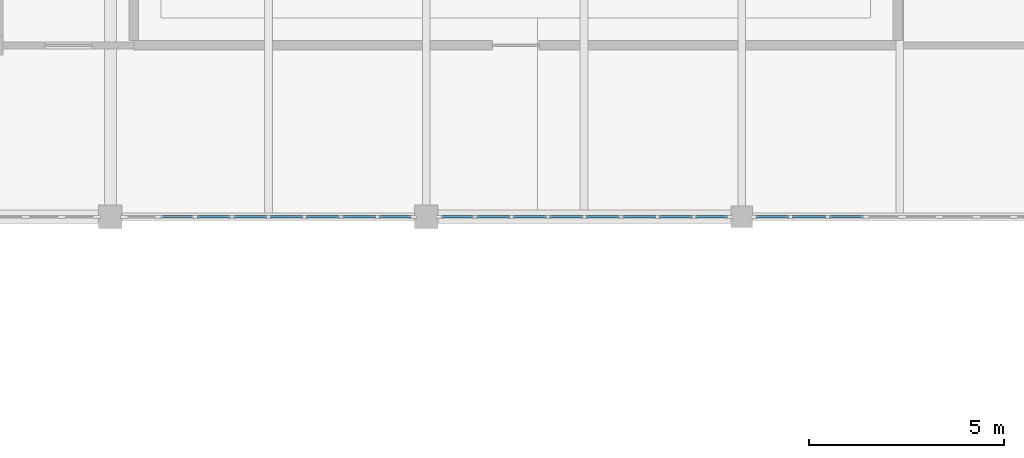
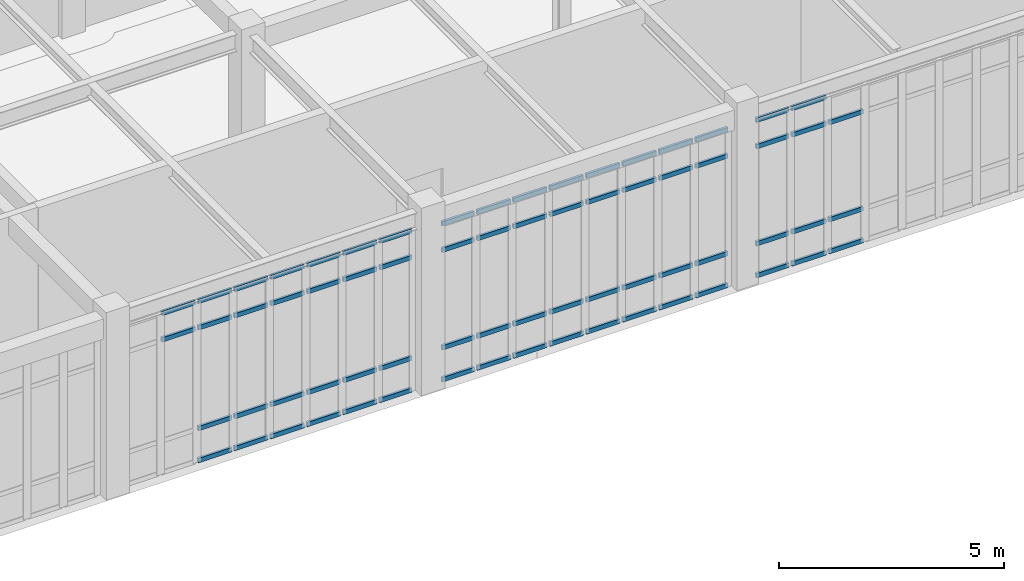
# One storey, part 37 of 70: 69 members, 3 elements without a shape of their own.
"""IFC4 building model written with IfcOpenShell, lengths in metres."""

from ifc_helpers import new_model, si_unit, direction, frame, origin, origin_2d, place, context, subcontext, project, spatial, rectangle, extrude, material, material_profile, profile_set, type_object, element, aggregate, save


model = new_model("IFC4")

# Units and contexts
model_context = context("Model", 3, precision=1e-05, world=origin(), true_north=direction((0.0, 1.0)))
body_context = subcontext(model_context, "Body", "Model", "MODEL_VIEW")
ifc_project = project(units=[si_unit("LENGTHUNIT", "METRE"), si_unit("AREAUNIT", "SQUARE_METRE"), si_unit("VOLUMEUNIT", "CUBIC_METRE"), si_unit("PLANEANGLEUNIT", "RADIAN"), si_unit("MASSUNIT", "GRAM", prefix="KILO")], contexts=[model_context])

# Site, building, storey
site_placement = place(None, origin())
site = spatial("IfcSite", under=ifc_project, at=site_placement, CompositionType="ELEMENT")
building_placement = place(site_placement, origin())
building = spatial("IfcBuilding", under=site, at=building_placement, Name="Tarnveldt Square Police Headquarters", CompositionType="ELEMENT")
storey_placement = place(building_placement, frame((0.0, 0.0, 19.800048828125)))
storey = spatial("IfcBuildingStorey", under=building, at=storey_placement, Name="L04", CompositionType="ELEMENT", Elevation=19.800048828125)

# Curtain wall, members
ifc_material_1 = material(Name="Triple-glazed low-e laminated vision glass", Category="glass")
curtain_wall_type_1 = type_object("IfcCurtainWallType", Name="CW-LB-747x439", PredefinedType="USERDEFINED", material=ifc_material_1)
curtain_wall_1_placement = place(storey_placement, origin())
curtain_wall_1 = element("IfcCurtainWall", 1, at=curtain_wall_1_placement, inside=storey, type_object=curtain_wall_type_1, Name="L04 Curtain Wall CW-L04-128", ObjectType="GLAZED CURTAIN WALL", PredefinedType="USERDEFINED")
ifc_material_2 = material(Name="Thermally broken anodised aluminium 6063-T6", Category="aluminium")
ifc_material_profile = material_profile(ifc_material_2, rectangle(XDim=0.06494140625, YDim=0.1201171875, at=origin_2d()), Name="CW-T65x120")
ifc_profile_set = profile_set([ifc_material_profile], Name="Thermally broken anodised aluminium 6063-T6")
member_type = type_object("IfcMemberType", Name="CWT-65x120", PredefinedType="USERDEFINED", material=ifc_profile_set)
member_1_placement = place(storey_placement, frame((66.086181640625, 96.0, 3.638916015625), z_axis=(1.0, 0.0, 0.0), x_axis=(0.0, 1.0, 0.0)))
member_1 = element("IfcMember", 2, at=member_1_placement, type_object=member_type, Name="CW-LB77 transom 2.3", ObjectType="TRANSOM", PredefinedType="USERDEFINED", context=body_context, shape_type="SweptSolid", body=[
    extrude(rectangle(XDim=0.06494140625, YDim=0.1201171875, at=origin_2d()), origin(), (0.0, 0.0, 1.0), 0.85888671875),
])
member_2_placement = place(storey_placement, frame((66.086181640625, 96.0, 4.3564453125), z_axis=(1.0, 0.0, 0.0), x_axis=(0.0, 1.0, 0.0)))
member_2 = element("IfcMember", 3, at=member_2_placement, type_object=member_type, Name="CW-LB77 transom 2.4", ObjectType="TRANSOM", PredefinedType="USERDEFINED", context=body_context, shape_type="SweptSolid", body=[
    extrude(rectangle(XDim=0.06494140625, YDim=0.1201171875, at=origin_2d()), origin(), (0.0, 0.0, 1.0), 0.85888671875),
])
member_3_placement = place(storey_placement, frame((67.02001953125, 96.0, 0.032470703125), z_axis=(1.0, 0.0, 0.0), x_axis=(0.0, 1.0, 0.0)))
member_3 = element("IfcMember", 4, at=member_3_placement, type_object=member_type, Name="CW-LB77 transom 3.1", ObjectType="TRANSOM", PredefinedType="USERDEFINED", context=body_context, shape_type="SweptSolid", body=[
    extrude(rectangle(XDim=0.06494140625, YDim=0.1201171875, at=origin_2d()), origin(), (0.0, 0.0, 1.0), 0.858642578125),
])
member_4_placement = place(storey_placement, frame((67.02001953125, 96.0, 0.89990234375), z_axis=(1.0, 0.0, 0.0), x_axis=(0.0, 1.0, 0.0)))
member_4 = element("IfcMember", 5, at=member_4_placement, type_object=member_type, Name="CW-LB77 transom 3.2", ObjectType="TRANSOM", PredefinedType="USERDEFINED", context=body_context, shape_type="SweptSolid", body=[
    extrude(rectangle(XDim=0.06494140625, YDim=0.1201171875, at=origin_2d()), origin(), (0.0, 0.0, 1.0), 0.858642578125),
])
member_5_placement = place(storey_placement, frame((67.02001953125, 96.0, 3.638916015625), z_axis=(1.0, 0.0, 0.0), x_axis=(0.0, 1.0, 0.0)))
member_5 = element("IfcMember", 6, at=member_5_placement, type_object=member_type, Name="CW-LB77 transom 3.3", ObjectType="TRANSOM", PredefinedType="USERDEFINED", context=body_context, shape_type="SweptSolid", body=[
    extrude(rectangle(XDim=0.06494140625, YDim=0.1201171875, at=origin_2d()), origin(), (0.0, 0.0, 1.0), 0.858642578125),
])
member_6_placement = place(storey_placement, frame((67.02001953125, 96.0, 4.3564453125), z_axis=(1.0, 0.0, 0.0), x_axis=(0.0, 1.0, 0.0)))
member_6 = element("IfcMember", 7, at=member_6_placement, type_object=member_type, Name="CW-LB77 transom 3.4", ObjectType="TRANSOM", PredefinedType="USERDEFINED", context=body_context, shape_type="SweptSolid", body=[
    extrude(rectangle(XDim=0.06494140625, YDim=0.1201171875, at=origin_2d()), origin(), (0.0, 0.0, 1.0), 0.858642578125),
])
member_7_placement = place(storey_placement, frame((67.953857421875, 96.0, 0.032470703125), z_axis=(1.0, 0.0, 0.0), x_axis=(0.0, 1.0, 0.0)))
member_7 = element("IfcMember", 8, at=member_7_placement, type_object=member_type, Name="CW-LB77 transom 4.1", ObjectType="TRANSOM", PredefinedType="USERDEFINED", context=body_context, shape_type="SweptSolid", body=[
    extrude(rectangle(XDim=0.06494140625, YDim=0.1201171875, at=origin_2d()), origin(), (0.0, 0.0, 1.0), 0.858642578125),
])
member_8_placement = place(storey_placement, frame((67.953857421875, 96.0, 0.89990234375), z_axis=(1.0, 0.0, 0.0), x_axis=(0.0, 1.0, 0.0)))
member_8 = element("IfcMember", 9, at=member_8_placement, type_object=member_type, Name="CW-LB77 transom 4.2", ObjectType="TRANSOM", PredefinedType="USERDEFINED", context=body_context, shape_type="SweptSolid", body=[
    extrude(rectangle(XDim=0.06494140625, YDim=0.1201171875, at=origin_2d()), origin(), (0.0, 0.0, 1.0), 0.858642578125),
])
member_9_placement = place(storey_placement, frame((67.953857421875, 96.0, 3.638916015625), z_axis=(1.0, 0.0, 0.0), x_axis=(0.0, 1.0, 0.0)))
member_9 = element("IfcMember", 10, at=member_9_placement, type_object=member_type, Name="CW-LB77 transom 4.3", ObjectType="TRANSOM", PredefinedType="USERDEFINED", context=body_context, shape_type="SweptSolid", body=[
    extrude(rectangle(XDim=0.06494140625, YDim=0.1201171875, at=origin_2d()), origin(), (0.0, 0.0, 1.0), 0.858642578125),
])
member_10_placement = place(storey_placement, frame((67.953857421875, 96.0, 4.3564453125), z_axis=(1.0, 0.0, 0.0), x_axis=(0.0, 1.0, 0.0)))
member_10 = element("IfcMember", 11, at=member_10_placement, type_object=member_type, Name="CW-LB77 transom 4.4", ObjectType="TRANSOM", PredefinedType="USERDEFINED", context=body_context, shape_type="SweptSolid", body=[
    extrude(rectangle(XDim=0.06494140625, YDim=0.1201171875, at=origin_2d()), origin(), (0.0, 0.0, 1.0), 0.858642578125),
])
member_11_placement = place(storey_placement, frame((68.887451171875, 96.0, 0.032470703125), z_axis=(1.0, 0.0, 0.0), x_axis=(0.0, 1.0, 0.0)))
member_11 = element("IfcMember", 12, at=member_11_placement, type_object=member_type, Name="CW-LB77 transom 5.1", ObjectType="TRANSOM", PredefinedType="USERDEFINED", context=body_context, shape_type="SweptSolid", body=[
    extrude(rectangle(XDim=0.06494140625, YDim=0.1201171875, at=origin_2d()), origin(), (0.0, 0.0, 1.0), 0.85888671875),
])
member_12_placement = place(storey_placement, frame((68.887451171875, 96.0, 0.89990234375), z_axis=(1.0, 0.0, 0.0), x_axis=(0.0, 1.0, 0.0)))
member_12 = element("IfcMember", 13, at=member_12_placement, type_object=member_type, Name="CW-LB77 transom 5.2", ObjectType="TRANSOM", PredefinedType="USERDEFINED", context=body_context, shape_type="SweptSolid", body=[
    extrude(rectangle(XDim=0.06494140625, YDim=0.1201171875, at=origin_2d()), origin(), (0.0, 0.0, 1.0), 0.85888671875),
])
member_13_placement = place(storey_placement, frame((68.887451171875, 96.0, 3.638916015625), z_axis=(1.0, 0.0, 0.0), x_axis=(0.0, 1.0, 0.0)))
member_13 = element("IfcMember", 14, at=member_13_placement, type_object=member_type, Name="CW-LB77 transom 5.3", ObjectType="TRANSOM", PredefinedType="USERDEFINED", context=body_context, shape_type="SweptSolid", body=[
    extrude(rectangle(XDim=0.06494140625, YDim=0.1201171875, at=origin_2d()), origin(), (0.0, 0.0, 1.0), 0.85888671875),
])
member_14_placement = place(storey_placement, frame((68.887451171875, 96.0, 4.3564453125), z_axis=(1.0, 0.0, 0.0), x_axis=(0.0, 1.0, 0.0)))
member_14 = element("IfcMember", 15, at=member_14_placement, type_object=member_type, Name="CW-LB77 transom 5.4", ObjectType="TRANSOM", PredefinedType="USERDEFINED", context=body_context, shape_type="SweptSolid", body=[
    extrude(rectangle(XDim=0.06494140625, YDim=0.1201171875, at=origin_2d()), origin(), (0.0, 0.0, 1.0), 0.85888671875),
])
member_15_placement = place(storey_placement, frame((69.8212890625, 96.0, 0.032470703125), z_axis=(1.0, 0.0, 0.0), x_axis=(0.0, 1.0, 0.0)))
member_15 = element("IfcMember", 16, at=member_15_placement, type_object=member_type, Name="CW-LB77 transom 6.1", ObjectType="TRANSOM", PredefinedType="USERDEFINED", context=body_context, shape_type="SweptSolid", body=[
    extrude(rectangle(XDim=0.06494140625, YDim=0.1201171875, at=origin_2d()), origin(), (0.0, 0.0, 1.0), 0.858642578125),
])
member_16_placement = place(storey_placement, frame((69.8212890625, 96.0, 0.89990234375), z_axis=(1.0, 0.0, 0.0), x_axis=(0.0, 1.0, 0.0)))
member_16 = element("IfcMember", 17, at=member_16_placement, type_object=member_type, Name="CW-LB77 transom 6.2", ObjectType="TRANSOM", PredefinedType="USERDEFINED", context=body_context, shape_type="SweptSolid", body=[
    extrude(rectangle(XDim=0.06494140625, YDim=0.1201171875, at=origin_2d()), origin(), (0.0, 0.0, 1.0), 0.858642578125),
])
member_17_placement = place(storey_placement, frame((69.8212890625, 96.0, 3.638916015625), z_axis=(1.0, 0.0, 0.0), x_axis=(0.0, 1.0, 0.0)))
member_17 = element("IfcMember", 18, at=member_17_placement, type_object=member_type, Name="CW-LB77 transom 6.3", ObjectType="TRANSOM", PredefinedType="USERDEFINED", context=body_context, shape_type="SweptSolid", body=[
    extrude(rectangle(XDim=0.06494140625, YDim=0.1201171875, at=origin_2d()), origin(), (0.0, 0.0, 1.0), 0.858642578125),
])
member_18_placement = place(storey_placement, frame((69.8212890625, 96.0, 4.3564453125), z_axis=(1.0, 0.0, 0.0), x_axis=(0.0, 1.0, 0.0)))
member_18 = element("IfcMember", 19, at=member_18_placement, type_object=member_type, Name="CW-LB77 transom 6.4", ObjectType="TRANSOM", PredefinedType="USERDEFINED", context=body_context, shape_type="SweptSolid", body=[
    extrude(rectangle(XDim=0.06494140625, YDim=0.1201171875, at=origin_2d()), origin(), (0.0, 0.0, 1.0), 0.858642578125),
])
member_19_placement = place(storey_placement, frame((70.7548828125, 96.0, 0.032470703125), z_axis=(1.0, 0.0, 0.0), x_axis=(0.0, 1.0, 0.0)))
member_19 = element("IfcMember", 20, at=member_19_placement, type_object=member_type, Name="CW-LB77 transom 7.1", ObjectType="TRANSOM", PredefinedType="USERDEFINED", context=body_context, shape_type="SweptSolid", body=[
    extrude(rectangle(XDim=0.06494140625, YDim=0.1201171875, at=origin_2d()), origin(), (0.0, 0.0, 1.0), 0.85888671875),
])
member_20_placement = place(storey_placement, frame((70.7548828125, 96.0, 0.89990234375), z_axis=(1.0, 0.0, 0.0), x_axis=(0.0, 1.0, 0.0)))
member_20 = element("IfcMember", 21, at=member_20_placement, type_object=member_type, Name="CW-LB77 transom 7.2", ObjectType="TRANSOM", PredefinedType="USERDEFINED", context=body_context, shape_type="SweptSolid", body=[
    extrude(rectangle(XDim=0.06494140625, YDim=0.1201171875, at=origin_2d()), origin(), (0.0, 0.0, 1.0), 0.85888671875),
])
member_21_placement = place(storey_placement, frame((70.7548828125, 96.0, 3.638916015625), z_axis=(1.0, 0.0, 0.0), x_axis=(0.0, 1.0, 0.0)))
member_21 = element("IfcMember", 22, at=member_21_placement, type_object=member_type, Name="CW-LB77 transom 7.3", ObjectType="TRANSOM", PredefinedType="USERDEFINED", context=body_context, shape_type="SweptSolid", body=[
    extrude(rectangle(XDim=0.06494140625, YDim=0.1201171875, at=origin_2d()), origin(), (0.0, 0.0, 1.0), 0.85888671875),
])
member_22_placement = place(storey_placement, frame((70.7548828125, 96.0, 4.3564453125), z_axis=(1.0, 0.0, 0.0), x_axis=(0.0, 1.0, 0.0)))
member_22 = element("IfcMember", 23, at=member_22_placement, type_object=member_type, Name="CW-LB77 transom 7.4", ObjectType="TRANSOM", PredefinedType="USERDEFINED", context=body_context, shape_type="SweptSolid", body=[
    extrude(rectangle(XDim=0.06494140625, YDim=0.1201171875, at=origin_2d()), origin(), (0.0, 0.0, 1.0), 0.85888671875),
])
member_23_placement = place(storey_placement, frame((71.688720703125, 96.0, 0.032470703125), z_axis=(1.0, 0.0, 0.0), x_axis=(0.0, 1.0, 0.0)))
member_23 = element("IfcMember", 24, at=member_23_placement, type_object=member_type, Name="CW-LB77 transom 8.1", ObjectType="TRANSOM", PredefinedType="USERDEFINED", context=body_context, shape_type="SweptSolid", body=[
    extrude(rectangle(XDim=0.06494140625, YDim=0.1201171875, at=origin_2d()), origin(), (0.0, 0.0, 1.0), 0.8212890625),
])
member_24_placement = place(storey_placement, frame((71.688720703125, 96.0, 0.89990234375), z_axis=(1.0, 0.0, 0.0), x_axis=(0.0, 1.0, 0.0)))
member_24 = element("IfcMember", 25, at=member_24_placement, type_object=member_type, Name="CW-LB77 transom 8.2", ObjectType="TRANSOM", PredefinedType="USERDEFINED", context=body_context, shape_type="SweptSolid", body=[
    extrude(rectangle(XDim=0.06494140625, YDim=0.1201171875, at=origin_2d()), origin(), (0.0, 0.0, 1.0), 0.8212890625),
])
member_25_placement = place(storey_placement, frame((71.688720703125, 96.0, 3.638916015625), z_axis=(1.0, 0.0, 0.0), x_axis=(0.0, 1.0, 0.0)))
member_25 = element("IfcMember", 26, at=member_25_placement, type_object=member_type, Name="CW-LB77 transom 8.3", ObjectType="TRANSOM", PredefinedType="USERDEFINED", context=body_context, shape_type="SweptSolid", body=[
    extrude(rectangle(XDim=0.06494140625, YDim=0.1201171875, at=origin_2d()), origin(), (0.0, 0.0, 1.0), 0.8212890625),
])
member_26_placement = place(storey_placement, frame((71.688720703125, 96.0, 4.3564453125), z_axis=(1.0, 0.0, 0.0), x_axis=(0.0, 1.0, 0.0)))
member_26 = element("IfcMember", 27, at=member_26_placement, type_object=member_type, Name="CW-LB77 transom 8.4", ObjectType="TRANSOM", PredefinedType="USERDEFINED", context=body_context, shape_type="SweptSolid", body=[
    extrude(rectangle(XDim=0.06494140625, YDim=0.1201171875, at=origin_2d()), origin(), (0.0, 0.0, 1.0), 0.8212890625),
])
aggregate(curtain_wall_1, [member_1, member_2, member_3, member_4, member_5, member_6, member_7, member_8, member_9, member_10, member_11, member_12, member_13, member_14, member_15, member_16, member_17, member_18, member_19, member_20, member_21, member_22, member_23, member_24, member_25, member_26])

curtain_wall_type_2 = type_object("IfcCurtainWallType", Name="CW-LB-749x430", PredefinedType="USERDEFINED", material=ifc_material_1)
curtain_wall_2_placement = place(storey_placement, origin())
curtain_wall_2 = element("IfcCurtainWall", 28, at=curtain_wall_2_placement, inside=storey, type_object=curtain_wall_type_2, Name="L04 Curtain Wall CW-L04-129", ObjectType="GLAZED CURTAIN WALL", PredefinedType="USERDEFINED")
member_27_placement = place(storey_placement, frame((73.2900390625, 96.0, 0.032470703125), z_axis=(1.0, 0.0, 0.0), x_axis=(0.0, 1.0, 0.0)))
member_27 = element("IfcMember", 29, at=member_27_placement, type_object=member_type, Name="CW-LB73 transom 1.1", ObjectType="TRANSOM", PredefinedType="USERDEFINED", context=body_context, shape_type="SweptSolid", body=[
    extrude(rectangle(XDim=0.06494140625, YDim=0.1201171875, at=origin_2d()), origin(), (0.0, 0.0, 1.0), 0.82421875),
])
member_28_placement = place(storey_placement, frame((73.2900390625, 96.0, 0.89990234375), z_axis=(1.0, 0.0, 0.0), x_axis=(0.0, 1.0, 0.0)))
member_28 = element("IfcMember", 30, at=member_28_placement, type_object=member_type, Name="CW-LB73 transom 1.2", ObjectType="TRANSOM", PredefinedType="USERDEFINED", context=body_context, shape_type="SweptSolid", body=[
    extrude(rectangle(XDim=0.06494140625, YDim=0.1201171875, at=origin_2d()), origin(), (0.0, 0.0, 1.0), 0.82421875),
])
member_29_placement = place(storey_placement, frame((73.2900390625, 96.0, 3.552001953125), z_axis=(1.0, 0.0, 0.0), x_axis=(0.0, 1.0, 0.0)))
member_29 = element("IfcMember", 31, at=member_29_placement, type_object=member_type, Name="CW-LB73 transom 1.3", ObjectType="TRANSOM", PredefinedType="USERDEFINED", context=body_context, shape_type="SweptSolid", body=[
    extrude(rectangle(XDim=0.06494140625, YDim=0.1201171875, at=origin_2d()), origin(), (0.0, 0.0, 1.0), 0.82421875),
])
member_30_placement = place(storey_placement, frame((73.2900390625, 96.0, 4.26953125), z_axis=(1.0, 0.0, 0.0), x_axis=(0.0, 1.0, 0.0)))
member_30 = element("IfcMember", 32, at=member_30_placement, type_object=member_type, Name="CW-LB73 transom 1.4", ObjectType="TRANSOM", PredefinedType="USERDEFINED", context=body_context, shape_type="SweptSolid", body=[
    extrude(rectangle(XDim=0.06494140625, YDim=0.1201171875, at=origin_2d()), origin(), (0.0, 0.0, 1.0), 0.82421875),
])
member_31_placement = place(storey_placement, frame((74.189453125, 96.0, 0.032470703125), z_axis=(1.0, 0.0, 0.0), x_axis=(0.0, 1.0, 0.0)))
member_31 = element("IfcMember", 33, at=member_31_placement, type_object=member_type, Name="CW-LB73 transom 2.1", ObjectType="TRANSOM", PredefinedType="USERDEFINED", context=body_context, shape_type="SweptSolid", body=[
    extrude(rectangle(XDim=0.06494140625, YDim=0.1201171875, at=origin_2d()), origin(), (0.0, 0.0, 1.0), 0.86181640625),
])
member_32_placement = place(storey_placement, frame((74.189453125, 96.0, 0.89990234375), z_axis=(1.0, 0.0, 0.0), x_axis=(0.0, 1.0, 0.0)))
member_32 = element("IfcMember", 34, at=member_32_placement, type_object=member_type, Name="CW-LB73 transom 2.2", ObjectType="TRANSOM", PredefinedType="USERDEFINED", context=body_context, shape_type="SweptSolid", body=[
    extrude(rectangle(XDim=0.06494140625, YDim=0.1201171875, at=origin_2d()), origin(), (0.0, 0.0, 1.0), 0.86181640625),
])
member_33_placement = place(storey_placement, frame((74.189453125, 96.0, 3.552001953125), z_axis=(1.0, 0.0, 0.0), x_axis=(0.0, 1.0, 0.0)))
member_33 = element("IfcMember", 35, at=member_33_placement, type_object=member_type, Name="CW-LB73 transom 2.3", ObjectType="TRANSOM", PredefinedType="USERDEFINED", context=body_context, shape_type="SweptSolid", body=[
    extrude(rectangle(XDim=0.06494140625, YDim=0.1201171875, at=origin_2d()), origin(), (0.0, 0.0, 1.0), 0.86181640625),
])
member_34_placement = place(storey_placement, frame((74.189453125, 96.0, 4.26953125), z_axis=(1.0, 0.0, 0.0), x_axis=(0.0, 1.0, 0.0)))
member_34 = element("IfcMember", 36, at=member_34_placement, type_object=member_type, Name="CW-LB73 transom 2.4", ObjectType="TRANSOM", PredefinedType="USERDEFINED", context=body_context, shape_type="SweptSolid", body=[
    extrude(rectangle(XDim=0.06494140625, YDim=0.1201171875, at=origin_2d()), origin(), (0.0, 0.0, 1.0), 0.86181640625),
])
member_35_placement = place(storey_placement, frame((75.126220703125, 96.0, 0.032470703125), z_axis=(1.0, 0.0, 0.0), x_axis=(0.0, 1.0, 0.0)))
member_35 = element("IfcMember", 37, at=member_35_placement, type_object=member_type, Name="CW-LB73 transom 3.1", ObjectType="TRANSOM", PredefinedType="USERDEFINED", context=body_context, shape_type="SweptSolid", body=[
    extrude(rectangle(XDim=0.06494140625, YDim=0.1201171875, at=origin_2d()), origin(), (0.0, 0.0, 1.0), 0.86181640625),
])
member_36_placement = place(storey_placement, frame((75.126220703125, 96.0, 0.89990234375), z_axis=(1.0, 0.0, 0.0), x_axis=(0.0, 1.0, 0.0)))
member_36 = element("IfcMember", 38, at=member_36_placement, type_object=member_type, Name="CW-LB73 transom 3.2", ObjectType="TRANSOM", PredefinedType="USERDEFINED", context=body_context, shape_type="SweptSolid", body=[
    extrude(rectangle(XDim=0.06494140625, YDim=0.1201171875, at=origin_2d()), origin(), (0.0, 0.0, 1.0), 0.86181640625),
])
member_37_placement = place(storey_placement, frame((75.126220703125, 96.0, 3.552001953125), z_axis=(1.0, 0.0, 0.0), x_axis=(0.0, 1.0, 0.0)))
member_37 = element("IfcMember", 39, at=member_37_placement, type_object=member_type, Name="CW-LB73 transom 3.3", ObjectType="TRANSOM", PredefinedType="USERDEFINED", context=body_context, shape_type="SweptSolid", body=[
    extrude(rectangle(XDim=0.06494140625, YDim=0.1201171875, at=origin_2d()), origin(), (0.0, 0.0, 1.0), 0.86181640625),
])
member_38_placement = place(storey_placement, frame((75.126220703125, 96.0, 4.26953125), z_axis=(1.0, 0.0, 0.0), x_axis=(0.0, 1.0, 0.0)))
member_38 = element("IfcMember", 40, at=member_38_placement, type_object=member_type, Name="CW-LB73 transom 3.4", ObjectType="TRANSOM", PredefinedType="USERDEFINED", context=body_context, shape_type="SweptSolid", body=[
    extrude(rectangle(XDim=0.06494140625, YDim=0.1201171875, at=origin_2d()), origin(), (0.0, 0.0, 1.0), 0.86181640625),
])
member_39_placement = place(storey_placement, frame((76.063232421875, 96.0, 0.032470703125), z_axis=(1.0, 0.0, 0.0), x_axis=(0.0, 1.0, 0.0)))
member_39 = element("IfcMember", 41, at=member_39_placement, type_object=member_type, Name="CW-LB73 transom 4.1", ObjectType="TRANSOM", PredefinedType="USERDEFINED", context=body_context, shape_type="SweptSolid", body=[
    extrude(rectangle(XDim=0.06494140625, YDim=0.1201171875, at=origin_2d()), origin(), (0.0, 0.0, 1.0), 0.86181640625),
])
member_40_placement = place(storey_placement, frame((76.063232421875, 96.0, 0.89990234375), z_axis=(1.0, 0.0, 0.0), x_axis=(0.0, 1.0, 0.0)))
member_40 = element("IfcMember", 42, at=member_40_placement, type_object=member_type, Name="CW-LB73 transom 4.2", ObjectType="TRANSOM", PredefinedType="USERDEFINED", context=body_context, shape_type="SweptSolid", body=[
    extrude(rectangle(XDim=0.06494140625, YDim=0.1201171875, at=origin_2d()), origin(), (0.0, 0.0, 1.0), 0.86181640625),
])
member_41_placement = place(storey_placement, frame((76.063232421875, 96.0, 3.552001953125), z_axis=(1.0, 0.0, 0.0), x_axis=(0.0, 1.0, 0.0)))
member_41 = element("IfcMember", 43, at=member_41_placement, type_object=member_type, Name="CW-LB73 transom 4.3", ObjectType="TRANSOM", PredefinedType="USERDEFINED", context=body_context, shape_type="SweptSolid", body=[
    extrude(rectangle(XDim=0.06494140625, YDim=0.1201171875, at=origin_2d()), origin(), (0.0, 0.0, 1.0), 0.86181640625),
])
member_42_placement = place(storey_placement, frame((76.063232421875, 96.0, 4.26953125), z_axis=(1.0, 0.0, 0.0), x_axis=(0.0, 1.0, 0.0)))
member_42 = element("IfcMember", 44, at=member_42_placement, type_object=member_type, Name="CW-LB73 transom 4.4", ObjectType="TRANSOM", PredefinedType="USERDEFINED", context=body_context, shape_type="SweptSolid", body=[
    extrude(rectangle(XDim=0.06494140625, YDim=0.1201171875, at=origin_2d()), origin(), (0.0, 0.0, 1.0), 0.86181640625),
])
member_43_placement = place(storey_placement, frame((77.0, 96.0, 0.032470703125), z_axis=(1.0, 0.0, 0.0), x_axis=(0.0, 1.0, 0.0)))
member_43 = element("IfcMember", 45, at=member_43_placement, type_object=member_type, Name="CW-LB73 transom 5.1", ObjectType="TRANSOM", PredefinedType="USERDEFINED", context=body_context, shape_type="SweptSolid", body=[
    extrude(rectangle(XDim=0.06494140625, YDim=0.1201171875, at=origin_2d()), origin(), (0.0, 0.0, 1.0), 0.86181640625),
])
member_44_placement = place(storey_placement, frame((77.0, 96.0, 0.89990234375), z_axis=(1.0, 0.0, 0.0), x_axis=(0.0, 1.0, 0.0)))
member_44 = element("IfcMember", 46, at=member_44_placement, type_object=member_type, Name="CW-LB73 transom 5.2", ObjectType="TRANSOM", PredefinedType="USERDEFINED", context=body_context, shape_type="SweptSolid", body=[
    extrude(rectangle(XDim=0.06494140625, YDim=0.1201171875, at=origin_2d()), origin(), (0.0, 0.0, 1.0), 0.86181640625),
])
member_45_placement = place(storey_placement, frame((77.0, 96.0, 3.552001953125), z_axis=(1.0, 0.0, 0.0), x_axis=(0.0, 1.0, 0.0)))
member_45 = element("IfcMember", 47, at=member_45_placement, type_object=member_type, Name="CW-LB73 transom 5.3", ObjectType="TRANSOM", PredefinedType="USERDEFINED", context=body_context, shape_type="SweptSolid", body=[
    extrude(rectangle(XDim=0.06494140625, YDim=0.1201171875, at=origin_2d()), origin(), (0.0, 0.0, 1.0), 0.86181640625),
])
member_46_placement = place(storey_placement, frame((77.0, 96.0, 4.26953125), z_axis=(1.0, 0.0, 0.0), x_axis=(0.0, 1.0, 0.0)))
member_46 = element("IfcMember", 48, at=member_46_placement, type_object=member_type, Name="CW-LB73 transom 5.4", ObjectType="TRANSOM", PredefinedType="USERDEFINED", context=body_context, shape_type="SweptSolid", body=[
    extrude(rectangle(XDim=0.06494140625, YDim=0.1201171875, at=origin_2d()), origin(), (0.0, 0.0, 1.0), 0.86181640625),
])
member_47_placement = place(storey_placement, frame((77.936767578125, 96.0, 0.032470703125), z_axis=(1.0, 0.0, 0.0), x_axis=(0.0, 1.0, 0.0)))
member_47 = element("IfcMember", 49, at=member_47_placement, type_object=member_type, Name="CW-LB73 transom 6.1", ObjectType="TRANSOM", PredefinedType="USERDEFINED", context=body_context, shape_type="SweptSolid", body=[
    extrude(rectangle(XDim=0.06494140625, YDim=0.1201171875, at=origin_2d()), origin(), (0.0, 0.0, 1.0), 0.862060546875),
])
member_48_placement = place(storey_placement, frame((77.936767578125, 96.0, 0.89990234375), z_axis=(1.0, 0.0, 0.0), x_axis=(0.0, 1.0, 0.0)))
member_48 = element("IfcMember", 50, at=member_48_placement, type_object=member_type, Name="CW-LB73 transom 6.2", ObjectType="TRANSOM", PredefinedType="USERDEFINED", context=body_context, shape_type="SweptSolid", body=[
    extrude(rectangle(XDim=0.06494140625, YDim=0.1201171875, at=origin_2d()), origin(), (0.0, 0.0, 1.0), 0.862060546875),
])
member_49_placement = place(storey_placement, frame((77.936767578125, 96.0, 3.552001953125), z_axis=(1.0, 0.0, 0.0), x_axis=(0.0, 1.0, 0.0)))
member_49 = element("IfcMember", 51, at=member_49_placement, type_object=member_type, Name="CW-LB73 transom 6.3", ObjectType="TRANSOM", PredefinedType="USERDEFINED", context=body_context, shape_type="SweptSolid", body=[
    extrude(rectangle(XDim=0.06494140625, YDim=0.1201171875, at=origin_2d()), origin(), (0.0, 0.0, 1.0), 0.862060546875),
])
member_50_placement = place(storey_placement, frame((77.936767578125, 96.0, 4.26953125), z_axis=(1.0, 0.0, 0.0), x_axis=(0.0, 1.0, 0.0)))
member_50 = element("IfcMember", 52, at=member_50_placement, type_object=member_type, Name="CW-LB73 transom 6.4", ObjectType="TRANSOM", PredefinedType="USERDEFINED", context=body_context, shape_type="SweptSolid", body=[
    extrude(rectangle(XDim=0.06494140625, YDim=0.1201171875, at=origin_2d()), origin(), (0.0, 0.0, 1.0), 0.862060546875),
])
member_51_placement = place(storey_placement, frame((78.873779296875, 96.0, 0.032470703125), z_axis=(1.0, 0.0, 0.0), x_axis=(0.0, 1.0, 0.0)))
member_51 = element("IfcMember", 53, at=member_51_placement, type_object=member_type, Name="CW-LB73 transom 7.1", ObjectType="TRANSOM", PredefinedType="USERDEFINED", context=body_context, shape_type="SweptSolid", body=[
    extrude(rectangle(XDim=0.06494140625, YDim=0.1201171875, at=origin_2d()), origin(), (0.0, 0.0, 1.0), 0.86181640625),
])
member_52_placement = place(storey_placement, frame((78.873779296875, 96.0, 0.89990234375), z_axis=(1.0, 0.0, 0.0), x_axis=(0.0, 1.0, 0.0)))
member_52 = element("IfcMember", 54, at=member_52_placement, type_object=member_type, Name="CW-LB73 transom 7.2", ObjectType="TRANSOM", PredefinedType="USERDEFINED", context=body_context, shape_type="SweptSolid", body=[
    extrude(rectangle(XDim=0.06494140625, YDim=0.1201171875, at=origin_2d()), origin(), (0.0, 0.0, 1.0), 0.86181640625),
])
member_53_placement = place(storey_placement, frame((78.873779296875, 96.0, 3.552001953125), z_axis=(1.0, 0.0, 0.0), x_axis=(0.0, 1.0, 0.0)))
member_53 = element("IfcMember", 55, at=member_53_placement, type_object=member_type, Name="CW-LB73 transom 7.3", ObjectType="TRANSOM", PredefinedType="USERDEFINED", context=body_context, shape_type="SweptSolid", body=[
    extrude(rectangle(XDim=0.06494140625, YDim=0.1201171875, at=origin_2d()), origin(), (0.0, 0.0, 1.0), 0.86181640625),
])
member_54_placement = place(storey_placement, frame((78.873779296875, 96.0, 4.26953125), z_axis=(1.0, 0.0, 0.0), x_axis=(0.0, 1.0, 0.0)))
member_54 = element("IfcMember", 56, at=member_54_placement, type_object=member_type, Name="CW-LB73 transom 7.4", ObjectType="TRANSOM", PredefinedType="USERDEFINED", context=body_context, shape_type="SweptSolid", body=[
    extrude(rectangle(XDim=0.06494140625, YDim=0.1201171875, at=origin_2d()), origin(), (0.0, 0.0, 1.0), 0.86181640625),
])
member_55_placement = place(storey_placement, frame((79.810546875, 96.0, 0.032470703125), z_axis=(1.0, 0.0, 0.0), x_axis=(0.0, 1.0, 0.0)))
member_55 = element("IfcMember", 57, at=member_55_placement, type_object=member_type, Name="CW-LB73 transom 8.1", ObjectType="TRANSOM", PredefinedType="USERDEFINED", context=body_context, shape_type="SweptSolid", body=[
    extrude(rectangle(XDim=0.06494140625, YDim=0.1201171875, at=origin_2d()), origin(), (0.0, 0.0, 1.0), 0.824462890625),
])
member_56_placement = place(storey_placement, frame((79.810546875, 96.0, 0.89990234375), z_axis=(1.0, 0.0, 0.0), x_axis=(0.0, 1.0, 0.0)))
member_56 = element("IfcMember", 58, at=member_56_placement, type_object=member_type, Name="CW-LB73 transom 8.2", ObjectType="TRANSOM", PredefinedType="USERDEFINED", context=body_context, shape_type="SweptSolid", body=[
    extrude(rectangle(XDim=0.06494140625, YDim=0.1201171875, at=origin_2d()), origin(), (0.0, 0.0, 1.0), 0.824462890625),
])
member_57_placement = place(storey_placement, frame((79.810546875, 96.0, 3.552001953125), z_axis=(1.0, 0.0, 0.0), x_axis=(0.0, 1.0, 0.0)))
member_57 = element("IfcMember", 59, at=member_57_placement, type_object=member_type, Name="CW-LB73 transom 8.3", ObjectType="TRANSOM", PredefinedType="USERDEFINED", context=body_context, shape_type="SweptSolid", body=[
    extrude(rectangle(XDim=0.06494140625, YDim=0.1201171875, at=origin_2d()), origin(), (0.0, 0.0, 1.0), 0.824462890625),
])
member_58_placement = place(storey_placement, frame((79.810546875, 96.0, 4.26953125), z_axis=(1.0, 0.0, 0.0), x_axis=(0.0, 1.0, 0.0)))
member_58 = element("IfcMember", 60, at=member_58_placement, type_object=member_type, Name="CW-LB73 transom 8.4", ObjectType="TRANSOM", PredefinedType="USERDEFINED", context=body_context, shape_type="SweptSolid", body=[
    extrude(rectangle(XDim=0.06494140625, YDim=0.1201171875, at=origin_2d()), origin(), (0.0, 0.0, 1.0), 0.824462890625),
])
aggregate(curtain_wall_2, [member_27, member_28, member_29, member_30, member_31, member_32, member_33, member_34, member_35, member_36, member_37, member_38, member_39, member_40, member_41, member_42, member_43, member_44, member_45, member_46, member_47, member_48, member_49, member_50, member_51, member_52, member_53, member_54, member_55, member_56, member_57, member_58])

curtain_wall_type_3 = type_object("IfcCurtainWallType", Name="CW-LB-764x429", PredefinedType="USERDEFINED", material=ifc_material_1)
curtain_wall_3_placement = place(storey_placement, origin())
curtain_wall_3 = element("IfcCurtainWall", 61, at=curtain_wall_3_placement, inside=storey, type_object=curtain_wall_type_3, Name="L04 Curtain Wall CW-L04-130", ObjectType="GLAZED CURTAIN WALL", PredefinedType="USERDEFINED")
member_59_placement = place(storey_placement, frame((81.364990234375, 96.0, 0.032470703125), z_axis=(1.0, 0.0, 0.0), x_axis=(0.0, 1.0, 0.0)))
member_59 = element("IfcMember", 62, at=member_59_placement, type_object=member_type, Name="CW-LB78 transom 1.1", ObjectType="TRANSOM", PredefinedType="USERDEFINED", context=body_context, shape_type="SweptSolid", body=[
    extrude(rectangle(XDim=0.06494140625, YDim=0.1201171875, at=origin_2d()), origin(), (0.0, 0.0, 1.0), 0.842529296875),
])
member_60_placement = place(storey_placement, frame((81.364990234375, 96.0, 0.89990234375), z_axis=(1.0, 0.0, 0.0), x_axis=(0.0, 1.0, 0.0)))
member_60 = element("IfcMember", 63, at=member_60_placement, type_object=member_type, Name="CW-LB78 transom 1.2", ObjectType="TRANSOM", PredefinedType="USERDEFINED", context=body_context, shape_type="SweptSolid", body=[
    extrude(rectangle(XDim=0.06494140625, YDim=0.1201171875, at=origin_2d()), origin(), (0.0, 0.0, 1.0), 0.842529296875),
])
member_61_placement = place(storey_placement, frame((81.364990234375, 96.0, 3.5390625), z_axis=(1.0, 0.0, 0.0), x_axis=(0.0, 1.0, 0.0)))
member_61 = element("IfcMember", 64, at=member_61_placement, type_object=member_type, Name="CW-LB78 transom 1.3", ObjectType="TRANSOM", PredefinedType="USERDEFINED", context=body_context, shape_type="SweptSolid", body=[
    extrude(rectangle(XDim=0.06494140625, YDim=0.1201171875, at=origin_2d()), origin(), (0.0, 0.0, 1.0), 0.842529296875),
])
member_62_placement = place(storey_placement, frame((81.364990234375, 96.0, 4.25634765625), z_axis=(1.0, 0.0, 0.0), x_axis=(0.0, 1.0, 0.0)))
member_62 = element("IfcMember", 65, at=member_62_placement, type_object=member_type, Name="CW-LB78 transom 1.4", ObjectType="TRANSOM", PredefinedType="USERDEFINED", context=body_context, shape_type="SweptSolid", body=[
    extrude(rectangle(XDim=0.06494140625, YDim=0.1201171875, at=origin_2d()), origin(), (0.0, 0.0, 1.0), 0.842529296875),
])
member_63_placement = place(storey_placement, frame((82.28271484375, 96.0, 0.032470703125), z_axis=(1.0, 0.0, 0.0), x_axis=(0.0, 1.0, 0.0)))
member_63 = element("IfcMember", 66, at=member_63_placement, type_object=member_type, Name="CW-LB78 transom 2.1", ObjectType="TRANSOM", PredefinedType="USERDEFINED", context=body_context, shape_type="SweptSolid", body=[
    extrude(rectangle(XDim=0.06494140625, YDim=0.1201171875, at=origin_2d()), origin(), (0.0, 0.0, 1.0), 0.880126953125),
])
member_64_placement = place(storey_placement, frame((82.28271484375, 96.0, 0.89990234375), z_axis=(1.0, 0.0, 0.0), x_axis=(0.0, 1.0, 0.0)))
member_64 = element("IfcMember", 67, at=member_64_placement, type_object=member_type, Name="CW-LB78 transom 2.2", ObjectType="TRANSOM", PredefinedType="USERDEFINED", context=body_context, shape_type="SweptSolid", body=[
    extrude(rectangle(XDim=0.06494140625, YDim=0.1201171875, at=origin_2d()), origin(), (0.0, 0.0, 1.0), 0.880126953125),
])
member_65_placement = place(storey_placement, frame((82.28271484375, 96.0, 3.5390625), z_axis=(1.0, 0.0, 0.0), x_axis=(0.0, 1.0, 0.0)))
member_65 = element("IfcMember", 68, at=member_65_placement, type_object=member_type, Name="CW-LB78 transom 2.3", ObjectType="TRANSOM", PredefinedType="USERDEFINED", context=body_context, shape_type="SweptSolid", body=[
    extrude(rectangle(XDim=0.06494140625, YDim=0.1201171875, at=origin_2d()), origin(), (0.0, 0.0, 1.0), 0.880126953125),
])
member_66_placement = place(storey_placement, frame((82.28271484375, 96.0, 4.25634765625), z_axis=(1.0, 0.0, 0.0), x_axis=(0.0, 1.0, 0.0)))
member_66 = element("IfcMember", 69, at=member_66_placement, type_object=member_type, Name="CW-LB78 transom 2.4", ObjectType="TRANSOM", PredefinedType="USERDEFINED", context=body_context, shape_type="SweptSolid", body=[
    extrude(rectangle(XDim=0.06494140625, YDim=0.1201171875, at=origin_2d()), origin(), (0.0, 0.0, 1.0), 0.880126953125),
])
member_67_placement = place(storey_placement, frame((83.23779296875, 96.0, 0.032470703125), z_axis=(1.0, 0.0, 0.0), x_axis=(0.0, 1.0, 0.0)))
member_67 = element("IfcMember", 70, at=member_67_placement, type_object=member_type, Name="CW-LB78 transom 3.1", ObjectType="TRANSOM", PredefinedType="USERDEFINED", context=body_context, shape_type="SweptSolid", body=[
    extrude(rectangle(XDim=0.06494140625, YDim=0.1201171875, at=origin_2d()), origin(), (0.0, 0.0, 1.0), 0.880126953125),
])
member_68_placement = place(storey_placement, frame((83.23779296875, 96.0, 0.89990234375), z_axis=(1.0, 0.0, 0.0), x_axis=(0.0, 1.0, 0.0)))
member_68 = element("IfcMember", 71, at=member_68_placement, type_object=member_type, Name="CW-LB78 transom 3.2", ObjectType="TRANSOM", PredefinedType="USERDEFINED", context=body_context, shape_type="SweptSolid", body=[
    extrude(rectangle(XDim=0.06494140625, YDim=0.1201171875, at=origin_2d()), origin(), (0.0, 0.0, 1.0), 0.880126953125),
])
member_69_placement = place(storey_placement, frame((83.23779296875, 96.0, 3.5390625), z_axis=(1.0, 0.0, 0.0), x_axis=(0.0, 1.0, 0.0)))
member_69 = element("IfcMember", 72, at=member_69_placement, type_object=member_type, Name="CW-LB78 transom 3.3", ObjectType="TRANSOM", PredefinedType="USERDEFINED", context=body_context, shape_type="SweptSolid", body=[
    extrude(rectangle(XDim=0.06494140625, YDim=0.1201171875, at=origin_2d()), origin(), (0.0, 0.0, 1.0), 0.880126953125),
])
aggregate(curtain_wall_3, [member_59, member_60, member_61, member_62, member_63, member_64, member_65, member_66, member_67, member_68, member_69])

save(model, "model.ifc")
